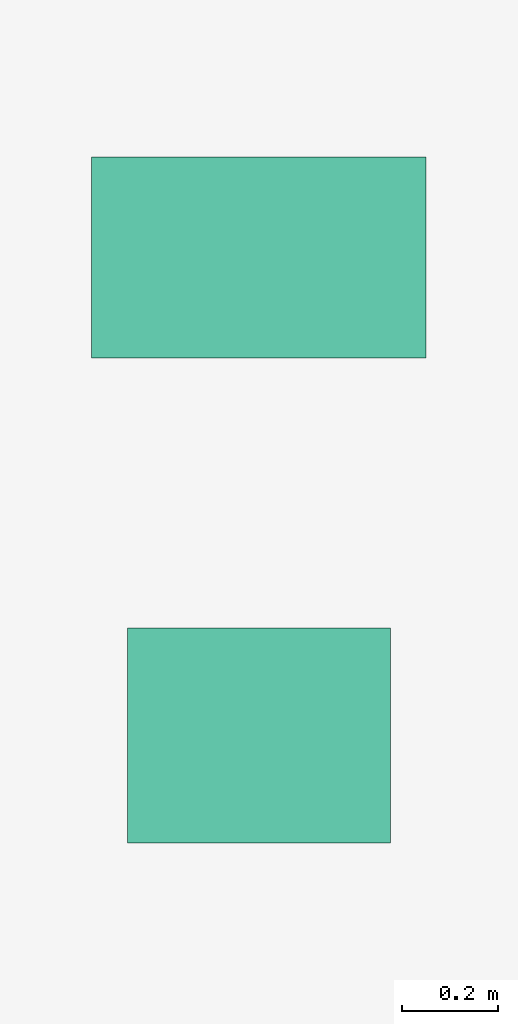
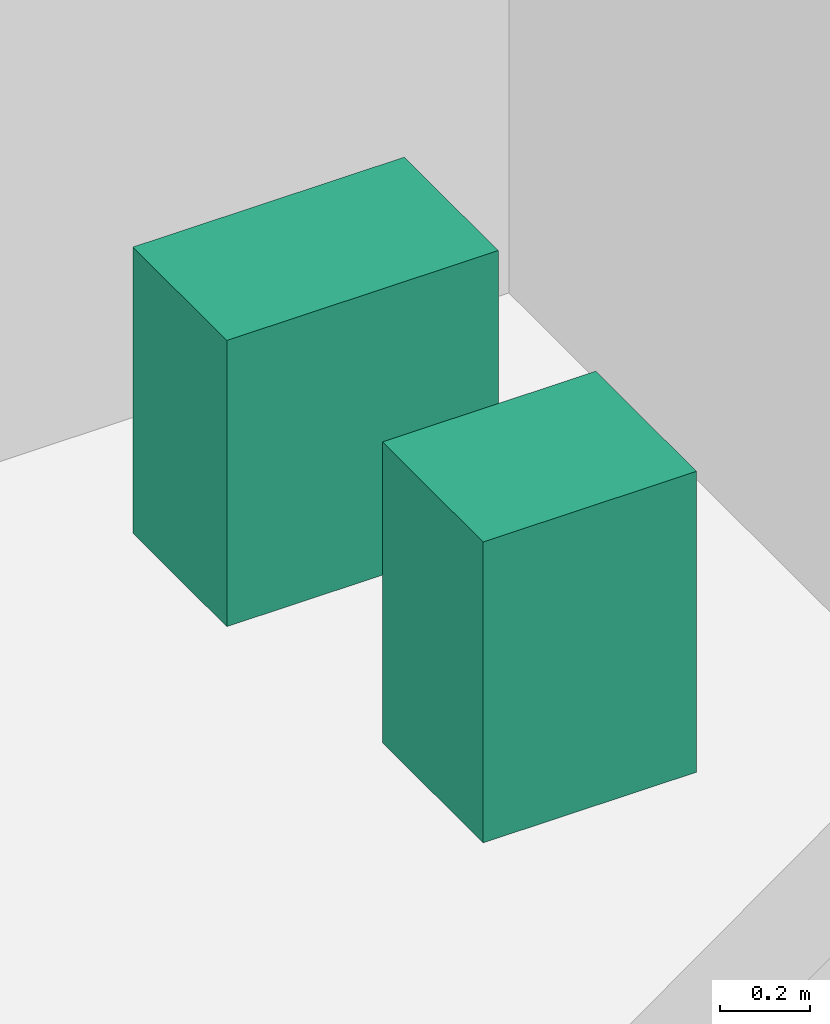
# One storey, part 35 of 35: 2 sanitary terminals.
"""IFC4 building model written with IfcOpenShell, lengths in metres."""

from ifc_helpers import new_model, si_unit, direction, frame, origin, origin_2d, place, context, subcontext, project, spatial, rectangle, extrude, source, transform, mapped, material, type_object, element, save


model = new_model("IFC4")

# Units and contexts
model_context = context("Model", 3, precision=1e-05, world=origin(), true_north=direction((0.0, 1.0)))
body_context = subcontext(model_context, "Body", "Model", "MODEL_VIEW")
ifc_project = project(units=[si_unit("LENGTHUNIT", "METRE"), si_unit("AREAUNIT", "SQUARE_METRE"), si_unit("VOLUMEUNIT", "CUBIC_METRE"), si_unit("PLANEANGLEUNIT", "RADIAN"), si_unit("MASSUNIT", "GRAM", prefix="KILO")], contexts=[model_context])

# Site, building, storey
site_placement = place(None, origin())
site = spatial("IfcSite", under=ifc_project, at=site_placement, CompositionType="ELEMENT")
building_placement = place(site_placement, origin())
building = spatial("IfcBuilding", under=site, at=building_placement, Name="Sumidabori Civic Tower", CompositionType="ELEMENT")
storey_placement = place(building_placement, frame((0.0, 0.0, 102.800048828125)))
storey = spatial("IfcBuildingStorey", under=building, at=storey_placement, Name="L26", CompositionType="ELEMENT", Elevation=102.800048828125)

# Sanitary terminals
ifc_material = material(Name="Vitreous Sanitary Porcelain")
sanitary_terminal_type_1 = type_object("IfcSanitaryTerminalType", Name="SN-WC-1", PredefinedType="TOILETPAN", material=ifc_material)
shared_shape_1 = source(origin(), body_context, "Body", "SweptSolid", [
    extrude(rectangle(XDim=0.699951171875, YDim=0.419921875, at=origin_2d()), origin(), (0.0, 0.0, 1.0), 0.780029296875),
])
sanitary_terminal_1_placement = place(storey_placement, frame((10.800048828125, 21.85009765625, 0.0), z_axis=(0.0, 0.0, 1.0), x_axis=(1.0, 0.0, 0.0)))
element("IfcSanitaryTerminal", 1, at=sanitary_terminal_1_placement, inside=storey, type_object=sanitary_terminal_type_1, Name="Accessible WC Pan L26", PredefinedType="TOILETPAN", context=body_context, shape_type="MappedRepresentation", body=[
    mapped(shared_shape_1, transform((0.0, 0.0, 0.0), x_axis=(1.0, 0.0, 0.0), y_axis=(0.0, 1.0, 0.0), z_axis=(0.0, 0.0, 1.0), scale=1.0)),
])
sanitary_terminal_type_2 = type_object("IfcSanitaryTerminalType", Name="SN-BAS-1", PredefinedType="WASHHANDBASIN", material=ifc_material)
shared_shape_2 = source(origin(), body_context, "Body", "SweptSolid", [
    extrude(rectangle(XDim=0.550048828125, YDim=0.449951171875, at=origin_2d()), origin(), (0.0, 0.0, 1.0), 0.820068359375),
])
sanitary_terminal_2_placement = place(storey_placement, frame((10.800048828125, 20.85009765625, 0.0), z_axis=(0.0, 0.0, 1.0), x_axis=(1.0, 0.0, 0.0)))
element("IfcSanitaryTerminal", 2, at=sanitary_terminal_2_placement, inside=storey, type_object=sanitary_terminal_type_2, Name="Accessible Basin L26", PredefinedType="WASHHANDBASIN", context=body_context, shape_type="MappedRepresentation", body=[
    mapped(shared_shape_2, transform((0.0, 0.0, 0.0), x_axis=(1.0, 0.0, 0.0), y_axis=(0.0, 1.0, 0.0), z_axis=(0.0, 0.0, 1.0), scale=1.0)),
])

save(model, "model.ifc")
